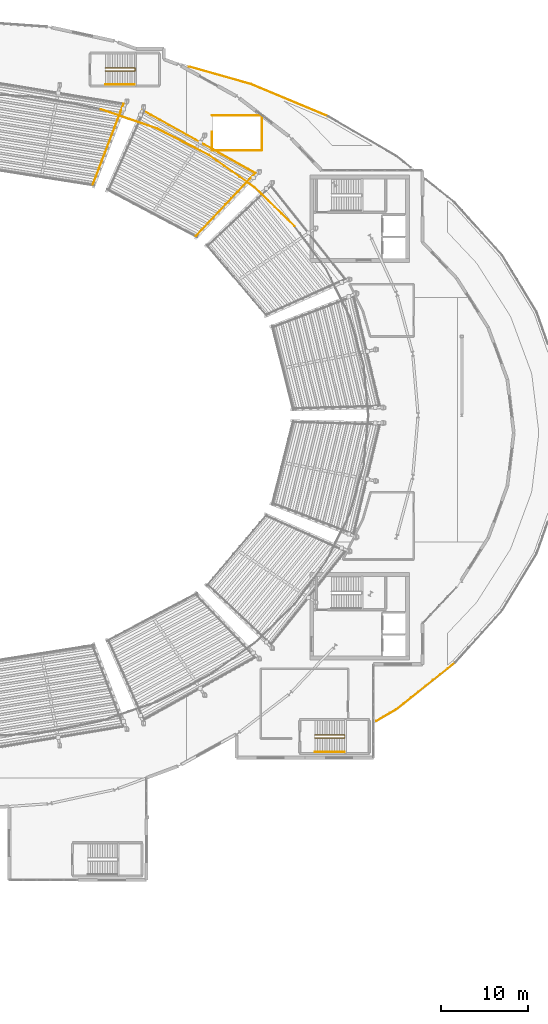
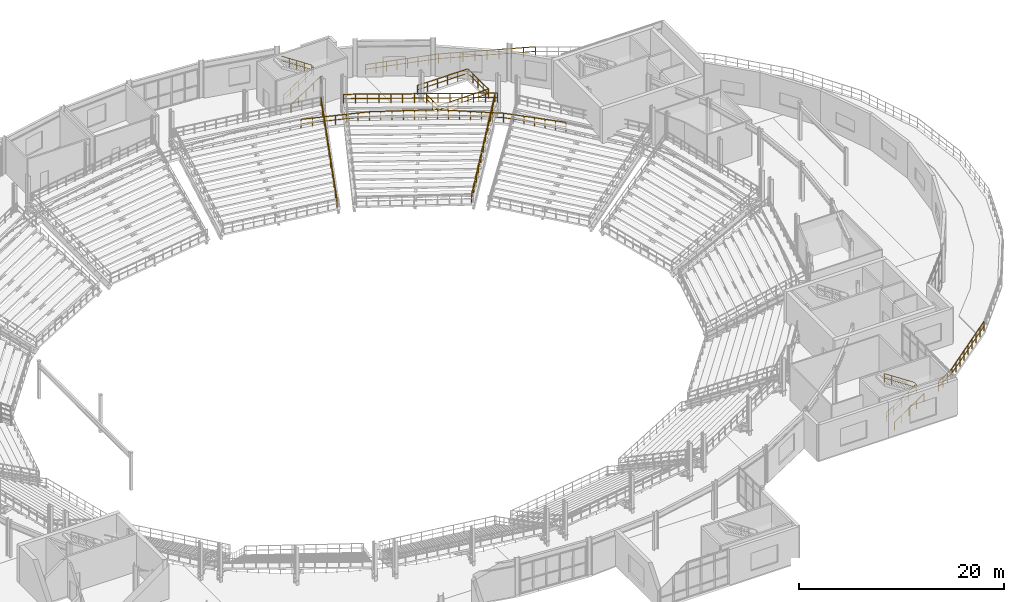
# One storey, part 78 of 81: 19 railings.
"""IFC4 building model written with IfcOpenShell, lengths in metres."""

from ifc_helpers import new_model, si_unit, direction, frame, origin, origin_2d, place, context, subcontext, project, spatial, circle, extrude, material, type_object, element, save


model = new_model("IFC4")

# Units and contexts
model_context = context("Model", 3, precision=1e-05, world=origin(), true_north=direction((0.0, 1.0)))
body_context = subcontext(model_context, "Body", "Model", "MODEL_VIEW")
ifc_project = project(units=[si_unit("LENGTHUNIT", "METRE"), si_unit("AREAUNIT", "SQUARE_METRE"), si_unit("VOLUMEUNIT", "CUBIC_METRE"), si_unit("PLANEANGLEUNIT", "RADIAN"), si_unit("MASSUNIT", "GRAM", prefix="KILO")], contexts=[model_context])

# Site, building, storey
site_placement = place(None, origin())
site = spatial("IfcSite", under=ifc_project, at=site_placement, CompositionType="ELEMENT")
building_placement = place(site_placement, origin())
building = spatial("IfcBuilding", under=site, at=building_placement, Name="Glasvene Arena", CompositionType="ELEMENT")
storey_placement = place(building_placement, frame((0.0, 0.0, 15.0)))
storey = spatial("IfcBuildingStorey", under=building, at=storey_placement, Name="L03", CompositionType="ELEMENT", Elevation=15.0)

# Railings
ifc_material_1 = material(Name="Brushed stainless steel", Category="steel")
railing_type_1 = type_object("IfcRailingType", Name="RL-GUARD-1100", PredefinedType="GUARDRAIL", material=ifc_material_1)
railing_1_placement = place(storey_placement, frame((130.199951171875, 36.06005859375, 0.0)))
element("IfcRailing", 1, at=railing_1_placement, inside=storey, type_object=railing_type_1, Name="Stair inner well continuous guardrail ST-06-L03", PredefinedType="GUARDRAIL", context=body_context, shape_type="SweptSolid", body=[
    extrude(circle(Radius=0.02392578125, at=origin_2d()), frame((0.0, 0.0, 1.076171875), z_axis=(0.833943147616, 0.0, 0.551850366082), x_axis=(0.0, 1.0, 0.0)), (0.0, 0.0, 1.0), 4.0771484375),
    extrude(circle(Radius=0.01611328125, at=origin_2d()), frame((0.0, 0.0, 0.550048828125), z_axis=(0.833943147616, 0.0, 0.551850366082), x_axis=(0.0, 1.0, 0.0)), (0.0, 0.0, 1.0), 4.0771484375),
    extrude(circle(Radius=0.02392578125, at=origin_2d()), frame((3.400146484375, 0.0, 3.326171875), z_axis=(0.0, 1.0, 0.0), x_axis=(-1.0, 0.0, 0.0)), (0.0, 0.0, 1.0), 0.329833984375),
    extrude(circle(Radius=0.01611328125, at=origin_2d()), frame((3.400146484375, 0.0, 2.800048828125), z_axis=(0.0, 1.0, 0.0), x_axis=(-1.0, 0.0, 0.0)), (0.0, 0.0, 1.0), 0.329833984375),
    extrude(circle(Radius=0.02392578125, at=origin_2d()), frame((3.400146484375, 0.329833984375, 3.326171875), z_axis=(-0.833943147616, 0.0, 0.551850366082), x_axis=(0.0, -1.0, 0.0)), (0.0, 0.0, 1.0), 4.0771484375),
    extrude(circle(Radius=0.01611328125, at=origin_2d()), frame((3.400146484375, 0.329833984375, 2.800048828125), z_axis=(-0.833943147616, 0.0, 0.551850366082), x_axis=(0.0, -1.0, 0.0)), (0.0, 0.0, 1.0), 4.0771484375),
    extrude(circle(Radius=0.02099609375, at=origin_2d()), origin(), (0.0, 0.0, 1.0), 1.052001953125),
    extrude(circle(Radius=0.02099609375, at=origin_2d()), frame((0.85009765625, 0.0, 0.5625)), (0.0, 0.0, 1.0), 1.052001953125),
    extrude(circle(Radius=0.02099609375, at=origin_2d()), frame((1.7001953125, 0.0, 1.125)), (0.0, 0.0, 1.0), 1.052001953125),
    extrude(circle(Radius=0.02099609375, at=origin_2d()), frame((2.550048828125, 0.0, 1.6875)), (0.0, 0.0, 1.0), 1.052001953125),
    extrude(circle(Radius=0.02099609375, at=origin_2d()), frame((3.400146484375, 0.0, 2.25)), (0.0, 0.0, 1.0), 1.052001953125),
    extrude(circle(Radius=0.02099609375, at=origin_2d()), frame((3.400146484375, 0.329833984375, 2.25)), (0.0, 0.0, 1.0), 1.052001953125),
    extrude(circle(Radius=0.02099609375, at=origin_2d()), frame((2.550048828125, 0.329833984375, 2.8125)), (0.0, 0.0, 1.0), 1.052001953125),
    extrude(circle(Radius=0.02099609375, at=origin_2d()), frame((1.7001953125, 0.329833984375, 3.375)), (0.0, 0.0, 1.0), 1.052001953125),
    extrude(circle(Radius=0.02099609375, at=origin_2d()), frame((0.85009765625, 0.329833984375, 3.9375)), (0.0, 0.0, 1.0), 1.052001953125),
    extrude(circle(Radius=0.02099609375, at=origin_2d()), frame((0.0, 0.329833984375, 4.5)), (0.0, 0.0, 1.0), 1.052001953125),
])
railing_2_placement = place(storey_placement, frame((106.199951171875, 112.409912109375, 0.0)))
element("IfcRailing", 2, at=railing_2_placement, inside=storey, type_object=railing_type_1, Name="Stair inner well continuous guardrail ST-11-L03", PredefinedType="GUARDRAIL", context=body_context, shape_type="SweptSolid", body=[
    extrude(circle(Radius=0.02392578125, at=origin_2d()), frame((0.0, 0.0, 1.076171875), z_axis=(0.833943147616, 0.0, 0.551850366082), x_axis=(0.0, 1.0, 0.0)), (0.0, 0.0, 1.0), 4.0771484375),
    extrude(circle(Radius=0.01611328125, at=origin_2d()), frame((0.0, 0.0, 0.550048828125), z_axis=(0.833943147616, 0.0, 0.551850366082), x_axis=(0.0, 1.0, 0.0)), (0.0, 0.0, 1.0), 4.0771484375),
    extrude(circle(Radius=0.02392578125, at=origin_2d()), frame((3.400146484375, 0.0, 3.326171875), z_axis=(0.0, 1.0, 0.0), x_axis=(-1.0, 0.0, 0.0)), (0.0, 0.0, 1.0), 0.330078125),
    extrude(circle(Radius=0.01611328125, at=origin_2d()), frame((3.400146484375, 0.0, 2.800048828125), z_axis=(0.0, 1.0, 0.0), x_axis=(-1.0, 0.0, 0.0)), (0.0, 0.0, 1.0), 0.330078125),
    extrude(circle(Radius=0.02392578125, at=origin_2d()), frame((3.400146484375, 0.330078125, 3.326171875), z_axis=(-0.833943147616, 0.0, 0.551850366082), x_axis=(0.0, -1.0, 0.0)), (0.0, 0.0, 1.0), 4.0771484375),
    extrude(circle(Radius=0.01611328125, at=origin_2d()), frame((3.400146484375, 0.330078125, 2.800048828125), z_axis=(-0.833943147616, 0.0, 0.551850366082), x_axis=(0.0, -1.0, 0.0)), (0.0, 0.0, 1.0), 4.0771484375),
    extrude(circle(Radius=0.02099609375, at=origin_2d()), origin(), (0.0, 0.0, 1.0), 1.052001953125),
    extrude(circle(Radius=0.02099609375, at=origin_2d()), frame((0.85009765625, 0.0, 0.5625)), (0.0, 0.0, 1.0), 1.052001953125),
    extrude(circle(Radius=0.02099609375, at=origin_2d()), frame((1.7001953125, 0.0, 1.125)), (0.0, 0.0, 1.0), 1.052001953125),
    extrude(circle(Radius=0.02099609375, at=origin_2d()), frame((2.550048828125, 0.0, 1.6875)), (0.0, 0.0, 1.0), 1.052001953125),
    extrude(circle(Radius=0.02099609375, at=origin_2d()), frame((3.400146484375, 0.0, 2.25)), (0.0, 0.0, 1.0), 1.052001953125),
    extrude(circle(Radius=0.02099609375, at=origin_2d()), frame((3.400146484375, 0.330078125, 2.25)), (0.0, 0.0, 1.0), 1.052001953125),
    extrude(circle(Radius=0.02099609375, at=origin_2d()), frame((2.550048828125, 0.330078125, 2.8125)), (0.0, 0.0, 1.0), 1.052001953125),
    extrude(circle(Radius=0.02099609375, at=origin_2d()), frame((1.7001953125, 0.330078125, 3.375)), (0.0, 0.0, 1.0), 1.052001953125),
    extrude(circle(Radius=0.02099609375, at=origin_2d()), frame((0.85009765625, 0.330078125, 3.9375)), (0.0, 0.0, 1.0), 1.052001953125),
    extrude(circle(Radius=0.02099609375, at=origin_2d()), frame((0.0, 0.330078125, 4.5)), (0.0, 0.0, 1.0), 1.052001953125),
])
railing_3_placement = place(storey_placement, frame((118.419921875, 105.449951171875, 0.0)))
element("IfcRailing", 3, at=railing_3_placement, inside=storey, type_object=railing_type_1, Name="Safety guardrail GD-VOM-08-TOP-001", PredefinedType="GUARDRAIL", context=body_context, shape_type="SweptSolid", body=[
    extrude(circle(Radius=0.02392578125, at=origin_2d()), frame((0.0, 0.0, 1.076171875), z_axis=(0.0, -1.0, 0.0), x_axis=(1.0, 0.0, 0.0)), (0.0, 0.0, 1.0), 2.1298828125),
    extrude(circle(Radius=0.01611328125, at=origin_2d()), frame((0.0, 0.0, 0.550048828125), z_axis=(0.0, -1.0, 0.0), x_axis=(1.0, 0.0, 0.0)), (0.0, 0.0, 1.0), 2.1298828125),
    extrude(circle(Radius=0.02099609375, at=origin_2d()), origin(), (0.0, 0.0, 1.0), 1.052001953125),
    extrude(circle(Radius=0.02099609375, at=origin_2d()), frame((0.0, -1.06494140625, 0.0)), (0.0, 0.0, 1.0), 1.052001953125),
    extrude(circle(Radius=0.02099609375, at=origin_2d()), frame((0.0, -2.1298828125, 0.0)), (0.0, 0.0, 1.0), 1.052001953125),
])
railing_4_placement = place(storey_placement, frame((118.419921875, 103.320068359375, 0.0)))
element("IfcRailing", 4, at=railing_4_placement, inside=storey, type_object=railing_type_1, Name="Safety guardrail GD-VOM-08-TOP-002", PredefinedType="GUARDRAIL", context=body_context, shape_type="SweptSolid", body=[
    extrude(circle(Radius=0.02392578125, at=origin_2d()), frame((0.0, 0.0, 1.076171875), z_axis=(1.0, 0.0, 0.0), x_axis=(0.0, 1.0, 0.0)), (0.0, 0.0, 1.0), 5.7001953125),
    extrude(circle(Radius=0.01611328125, at=origin_2d()), frame((0.0, 0.0, 0.550048828125), z_axis=(1.0, 0.0, 0.0), x_axis=(0.0, 1.0, 0.0)), (0.0, 0.0, 1.0), 5.7001953125),
    extrude(circle(Radius=0.02099609375, at=origin_2d()), origin(), (0.0, 0.0, 1.0), 1.052001953125),
    extrude(circle(Radius=0.02099609375, at=origin_2d()), frame((1.14013671875, 0.0, 0.0)), (0.0, 0.0, 1.0), 1.052001953125),
    extrude(circle(Radius=0.02099609375, at=origin_2d()), frame((2.280029296875, 0.0, 0.0)), (0.0, 0.0, 1.0), 1.052001953125),
    extrude(circle(Radius=0.02099609375, at=origin_2d()), frame((3.420166015625, 0.0, 0.0)), (0.0, 0.0, 1.0), 1.052001953125),
    extrude(circle(Radius=0.02099609375, at=origin_2d()), frame((4.56005859375, 0.0, 0.0)), (0.0, 0.0, 1.0), 1.052001953125),
    extrude(circle(Radius=0.02099609375, at=origin_2d()), frame((5.7001953125, 0.0, 0.0)), (0.0, 0.0, 1.0), 1.052001953125),
])
railing_5_placement = place(storey_placement, frame((124.1201171875, 103.320068359375, 0.0)))
element("IfcRailing", 5, at=railing_5_placement, inside=storey, type_object=railing_type_1, Name="Safety guardrail GD-VOM-08-TOP-003", PredefinedType="GUARDRAIL", context=body_context, shape_type="SweptSolid", body=[
    extrude(circle(Radius=0.02392578125, at=origin_2d()), frame((0.0, 0.0, 1.076171875), z_axis=(0.0, 1.0, 0.0), x_axis=(-1.0, 0.0, 0.0)), (0.0, 0.0, 1.0), 4.010009765625),
    extrude(circle(Radius=0.01611328125, at=origin_2d()), frame((0.0, 0.0, 0.550048828125), z_axis=(0.0, 1.0, 0.0), x_axis=(-1.0, 0.0, 0.0)), (0.0, 0.0, 1.0), 4.010009765625),
    extrude(circle(Radius=0.02099609375, at=origin_2d()), origin(), (0.0, 0.0, 1.0), 1.052001953125),
    extrude(circle(Radius=0.02099609375, at=origin_2d()), frame((0.0, 1.00244140625, 0.0)), (0.0, 0.0, 1.0), 1.052001953125),
    extrude(circle(Radius=0.02099609375, at=origin_2d()), frame((0.0, 2.0048828125, 0.0)), (0.0, 0.0, 1.0), 1.052001953125),
    extrude(circle(Radius=0.02099609375, at=origin_2d()), frame((0.0, 3.007568359375, 0.0)), (0.0, 0.0, 1.0), 1.052001953125),
    extrude(circle(Radius=0.02099609375, at=origin_2d()), frame((0.0, 4.010009765625, 0.0)), (0.0, 0.0, 1.0), 1.052001953125),
])
railing_6_placement = place(storey_placement, frame((124.1201171875, 107.330078125, 0.0)))
element("IfcRailing", 6, at=railing_6_placement, inside=storey, type_object=railing_type_1, Name="Safety guardrail GD-VOM-08-TOP-004", PredefinedType="GUARDRAIL", context=body_context, shape_type="SweptSolid", body=[
    extrude(circle(Radius=0.02392578125, at=origin_2d()), frame((0.0, 0.0, 1.076171875), z_axis=(-1.0, 0.0, 0.0), x_axis=(0.0, -1.0, 0.0)), (0.0, 0.0, 1.0), 5.7001953125),
    extrude(circle(Radius=0.01611328125, at=origin_2d()), frame((0.0, 0.0, 0.550048828125), z_axis=(-1.0, 0.0, 0.0), x_axis=(0.0, -1.0, 0.0)), (0.0, 0.0, 1.0), 5.7001953125),
    extrude(circle(Radius=0.02099609375, at=origin_2d()), origin(), (0.0, 0.0, 1.0), 1.052001953125),
    extrude(circle(Radius=0.02099609375, at=origin_2d()), frame((-1.14013671875, 0.0, 0.0)), (0.0, 0.0, 1.0), 1.052001953125),
    extrude(circle(Radius=0.02099609375, at=origin_2d()), frame((-2.280029296875, 0.0, 0.0)), (0.0, 0.0, 1.0), 1.052001953125),
    extrude(circle(Radius=0.02099609375, at=origin_2d()), frame((-3.420166015625, 0.0, 0.0)), (0.0, 0.0, 1.0), 1.052001953125),
    extrude(circle(Radius=0.02099609375, at=origin_2d()), frame((-4.56005859375, 0.0, 0.0)), (0.0, 0.0, 1.0), 1.052001953125),
    extrude(circle(Radius=0.02099609375, at=origin_2d()), frame((-5.7001953125, 0.0, 0.0)), (0.0, 0.0, 1.0), 1.052001953125),
])
railing_7_placement = place(storey_placement, frame((127.855712890625, 94.642333984375, 0.0)))
element("IfcRailing", 7, at=railing_7_placement, inside=storey, type_object=railing_type_1, Name="Safety guardrail GD-BWL-L03-005", PredefinedType="GUARDRAIL", context=body_context, shape_type="SweptSolid", body=[
    extrude(circle(Radius=0.02392578125, at=origin_2d()), frame((0.0, 0.0, 1.076171875), z_axis=(-0.716822755591, 0.697255431722, 0.0), x_axis=(-0.697255431722, -0.716822755591, 0.0)), (0.0, 0.0, 1.0), 6.30078125),
    extrude(circle(Radius=0.01611328125, at=origin_2d()), frame((0.0, 0.0, 0.550048828125), z_axis=(-0.716822755591, 0.697255431722, 0.0), x_axis=(-0.697255431722, -0.716822755591, 0.0)), (0.0, 0.0, 1.0), 6.30078125),
    extrude(circle(Radius=0.02099609375, at=origin_2d()), origin(), (0.0, 0.0, 1.0), 1.052001953125),
    extrude(circle(Radius=0.02099609375, at=origin_2d()), frame((-0.752685546875, 0.732177734375, 0.0)), (0.0, 0.0, 1.0), 1.052001953125),
    extrude(circle(Radius=0.02099609375, at=origin_2d()), frame((-1.505615234375, 1.46435546875, 0.0)), (0.0, 0.0, 1.0), 1.052001953125),
    extrude(circle(Radius=0.02099609375, at=origin_2d()), frame((-2.25830078125, 2.19677734375, 0.0)), (0.0, 0.0, 1.0), 1.052001953125),
    extrude(circle(Radius=0.02099609375, at=origin_2d()), frame((-3.010986328125, 2.928955078125, 0.0)), (0.0, 0.0, 1.0), 1.052001953125),
    extrude(circle(Radius=0.02099609375, at=origin_2d()), frame((-3.763916015625, 3.6611328125, 0.0)), (0.0, 0.0, 1.0), 1.052001953125),
    extrude(circle(Radius=0.02099609375, at=origin_2d()), frame((-4.5166015625, 4.393310546875, 0.0)), (0.0, 0.0, 1.0), 1.052001953125),
])
railing_8_placement = place(storey_placement, frame((123.339111328125, 99.03564453125, 0.0)))
element("IfcRailing", 8, at=railing_8_placement, inside=storey, type_object=railing_type_1, Name="Safety guardrail GD-BWL-L03-006", PredefinedType="GUARDRAIL", context=body_context, shape_type="SweptSolid", body=[
    extrude(circle(Radius=0.02392578125, at=origin_2d()), frame((0.0, 0.0, 1.076171875), z_axis=(-0.815561022815, 0.57867107934, 0.0), x_axis=(-0.57867107934, -0.815561022815, 0.0)), (0.0, 0.0, 1.0), 6.484619140625),
    extrude(circle(Radius=0.01611328125, at=origin_2d()), frame((0.0, 0.0, 0.550048828125), z_axis=(-0.815561022815, 0.57867107934, 0.0), x_axis=(-0.57867107934, -0.815561022815, 0.0)), (0.0, 0.0, 1.0), 6.484619140625),
    extrude(circle(Radius=0.02099609375, at=origin_2d()), origin(), (0.0, 0.0, 1.0), 1.052001953125),
    extrude(circle(Radius=0.02099609375, at=origin_2d()), frame((-0.88134765625, 0.62548828125, 0.0)), (0.0, 0.0, 1.0), 1.052001953125),
    extrude(circle(Radius=0.02099609375, at=origin_2d()), frame((-1.762939453125, 1.250732421875, 0.0)), (0.0, 0.0, 1.0), 1.052001953125),
    extrude(circle(Radius=0.02099609375, at=origin_2d()), frame((-2.644287109375, 1.876220703125, 0.0)), (0.0, 0.0, 1.0), 1.052001953125),
    extrude(circle(Radius=0.02099609375, at=origin_2d()), frame((-3.525634765625, 2.501708984375, 0.0)), (0.0, 0.0, 1.0), 1.052001953125),
    extrude(circle(Radius=0.02099609375, at=origin_2d()), frame((-4.4072265625, 3.126953125, 0.0)), (0.0, 0.0, 1.0), 1.052001953125),
    extrude(circle(Radius=0.02099609375, at=origin_2d()), frame((-5.28857421875, 3.75244140625, 0.0)), (0.0, 0.0, 1.0), 1.052001953125),
])
railing_9_placement = place(storey_placement, frame((118.050537109375, 102.7880859375, 0.0)))
element("IfcRailing", 9, at=railing_9_placement, inside=storey, type_object=railing_type_1, Name="Safety guardrail GD-BWL-L03-007", PredefinedType="GUARDRAIL", context=body_context, shape_type="SweptSolid", body=[
    extrude(circle(Radius=0.02392578125, at=origin_2d()), frame((0.0, 0.0, 1.076171875), z_axis=(-0.891160148677, 0.453688868511, 0.0), x_axis=(-0.453688868511, -0.891160148677, 0.0)), (0.0, 0.0, 1.0), 6.65380859375),
    extrude(circle(Radius=0.01611328125, at=origin_2d()), frame((0.0, 0.0, 0.550048828125), z_axis=(-0.891160148677, 0.453688868511, 0.0), x_axis=(-0.453688868511, -0.891160148677, 0.0)), (0.0, 0.0, 1.0), 6.65380859375),
    extrude(circle(Radius=0.02099609375, at=origin_2d()), origin(), (0.0, 0.0, 1.0), 1.052001953125),
    extrude(circle(Radius=0.02099609375, at=origin_2d()), frame((-0.98828125, 0.503173828125, 0.0)), (0.0, 0.0, 1.0), 1.052001953125),
    extrude(circle(Radius=0.02099609375, at=origin_2d()), frame((-1.9765625, 1.00634765625, 0.0)), (0.0, 0.0, 1.0), 1.052001953125),
    extrude(circle(Radius=0.02099609375, at=origin_2d()), frame((-2.96484375, 1.50927734375, 0.0)), (0.0, 0.0, 1.0), 1.052001953125),
    extrude(circle(Radius=0.02099609375, at=origin_2d()), frame((-3.953125, 2.012451171875, 0.0)), (0.0, 0.0, 1.0), 1.052001953125),
    extrude(circle(Radius=0.02099609375, at=origin_2d()), frame((-4.94140625, 2.515625, 0.0)), (0.0, 0.0, 1.0), 1.052001953125),
    extrude(circle(Radius=0.02099609375, at=origin_2d()), frame((-5.9296875, 3.018798828125, 0.0)), (0.0, 0.0, 1.0), 1.052001953125),
])
railing_10_placement = place(storey_placement, frame((112.120849609375, 105.806884765625, 0.0)))
element("IfcRailing", 10, at=railing_10_placement, inside=storey, type_object=railing_type_1, Name="Safety guardrail GD-BWL-L03-008", PredefinedType="GUARDRAIL", context=body_context, shape_type="SweptSolid", body=[
    extrude(circle(Radius=0.02392578125, at=origin_2d()), frame((0.0, 0.0, 1.076171875), z_axis=(-0.945585072806, 0.325374968437, 0.0), x_axis=(-0.325374968437, -0.945585072806, 0.0)), (0.0, 0.0, 1.0), 6.795166015625),
    extrude(circle(Radius=0.01611328125, at=origin_2d()), frame((0.0, 0.0, 0.550048828125), z_axis=(-0.945585072806, 0.325374968437, 0.0), x_axis=(-0.325374968437, -0.945585072806, 0.0)), (0.0, 0.0, 1.0), 6.795166015625),
    extrude(circle(Radius=0.02099609375, at=origin_2d()), origin(), (0.0, 0.0, 1.0), 1.052001953125),
    extrude(circle(Radius=0.02099609375, at=origin_2d()), frame((-1.07080078125, 0.368408203125, 0.0)), (0.0, 0.0, 1.0), 1.052001953125),
    extrude(circle(Radius=0.02099609375, at=origin_2d()), frame((-2.141845703125, 0.737060546875, 0.0)), (0.0, 0.0, 1.0), 1.052001953125),
    extrude(circle(Radius=0.02099609375, at=origin_2d()), frame((-3.212646484375, 1.10546875, 0.0)), (0.0, 0.0, 1.0), 1.052001953125),
    extrude(circle(Radius=0.02099609375, at=origin_2d()), frame((-4.283447265625, 1.473876953125, 0.0)), (0.0, 0.0, 1.0), 1.052001953125),
    extrude(circle(Radius=0.02099609375, at=origin_2d()), frame((-5.3544921875, 1.842529296875, 0.0)), (0.0, 0.0, 1.0), 1.052001953125),
    extrude(circle(Radius=0.02099609375, at=origin_2d()), frame((-6.42529296875, 2.2109375, 0.0)), (0.0, 0.0, 1.0), 1.052001953125),
])
railing_11_placement = place(storey_placement, frame((123.5595703125, 100.602783203125, 1.3798828125)))
element("IfcRailing", 11, at=railing_11_placement, inside=storey, type_object=railing_type_1, Name="Safety guardrail GD-TU-UR-03-001", PredefinedType="GUARDRAIL", context=body_context, shape_type="SweptSolid", body=[
    extrude(circle(Radius=0.02392578125, at=origin_2d()), frame((0.0, 0.0, 1.076171875), z_axis=(-0.873075045676, 0.487585853587, 0.0), x_axis=(-0.487585853587, -0.873075045676, 0.0)), (0.0, 0.0, 1.0), 15.033935546875),
    extrude(circle(Radius=0.01611328125, at=origin_2d()), frame((0.0, 0.0, 0.550048828125), z_axis=(-0.873075045676, 0.487585853587, 0.0), x_axis=(-0.487585853587, -0.873075045676, 0.0)), (0.0, 0.0, 1.0), 15.033935546875),
    extrude(circle(Radius=0.02099609375, at=origin_2d()), origin(), (0.0, 0.0, 1.0), 1.052001953125),
    extrude(circle(Radius=0.02099609375, at=origin_2d()), frame((-1.009765625, 0.56396484375, 0.0)), (0.0, 0.0, 1.0), 1.052001953125),
    extrude(circle(Radius=0.02099609375, at=origin_2d()), frame((-2.019287109375, 1.127685546875, 0.0)), (0.0, 0.0, 1.0), 1.052001953125),
    extrude(circle(Radius=0.02099609375, at=origin_2d()), frame((-3.029052734375, 1.691650390625, 0.0)), (0.0, 0.0, 1.0), 1.052001953125),
    extrude(circle(Radius=0.02099609375, at=origin_2d()), frame((-4.03857421875, 2.25537109375, 0.0)), (0.0, 0.0, 1.0), 1.052001953125),
    extrude(circle(Radius=0.02099609375, at=origin_2d()), frame((-5.04833984375, 2.8193359375, 0.0)), (0.0, 0.0, 1.0), 1.052001953125),
    extrude(circle(Radius=0.02099609375, at=origin_2d()), frame((-6.05810546875, 3.38330078125, 0.0)), (0.0, 0.0, 1.0), 1.052001953125),
    extrude(circle(Radius=0.02099609375, at=origin_2d()), frame((-7.067626953125, 3.947021484375, 0.0)), (0.0, 0.0, 1.0), 1.052001953125),
    extrude(circle(Radius=0.02099609375, at=origin_2d()), frame((-8.077392578125, 4.510986328125, 0.0)), (0.0, 0.0, 1.0), 1.052001953125),
    extrude(circle(Radius=0.02099609375, at=origin_2d()), frame((-9.087158203125, 5.074951171875, 0.0)), (0.0, 0.0, 1.0), 1.052001953125),
    extrude(circle(Radius=0.02099609375, at=origin_2d()), frame((-10.0966796875, 5.638671875, 0.0)), (0.0, 0.0, 1.0), 1.052001953125),
    extrude(circle(Radius=0.02099609375, at=origin_2d()), frame((-11.1064453125, 6.20263671875, 0.0)), (0.0, 0.0, 1.0), 1.052001953125),
    extrude(circle(Radius=0.02099609375, at=origin_2d()), frame((-12.115966796875, 6.766357421875, 0.0)), (0.0, 0.0, 1.0), 1.052001953125),
    extrude(circle(Radius=0.02099609375, at=origin_2d()), frame((-13.125732421875, 7.330322265625, 0.0)), (0.0, 0.0, 1.0), 1.052001953125),
])
railing_12_placement = place(storey_placement, frame((116.569580078125, 93.521240234375, -3.89990234375)))
element("IfcRailing", 12, at=railing_12_placement, inside=storey, type_object=railing_type_1, Name="Upper tier radial aisle guard 03-1", PredefinedType="GUARDRAIL", context=body_context, shape_type="SweptSolid", body=[
    extrude(circle(Radius=0.02392578125, at=origin_2d()), frame((0.0, 0.0, 1.076171875), z_axis=(0.60640450532, 0.640959204418, 0.470579296399), x_axis=(-0.726416506845, 0.687254726126, 0.0)), (0.0, 0.0, 1.0), 11.2197265625),
    extrude(circle(Radius=0.01611328125, at=origin_2d()), frame((0.0, 0.0, 0.550048828125), z_axis=(0.60640450532, 0.640959204418, 0.470579296399), x_axis=(-0.726416506845, 0.687254726126, 0.0)), (0.0, 0.0, 1.0), 11.2197265625),
    extrude(circle(Radius=0.02099609375, at=origin_2d()), origin(), (0.0, 0.0, 1.0), 1.052001953125),
    extrude(circle(Radius=0.02099609375, at=origin_2d()), frame((0.680419921875, 0.71923828125, 0.528076171875)), (0.0, 0.0, 1.0), 1.052001953125),
    extrude(circle(Radius=0.02099609375, at=origin_2d()), frame((1.36083984375, 1.438232421875, 1.055908203125)), (0.0, 0.0, 1.0), 1.052001953125),
    extrude(circle(Radius=0.02099609375, at=origin_2d()), frame((2.041015625, 2.157470703125, 1.583984375)), (0.0, 0.0, 1.0), 1.052001953125),
    extrude(circle(Radius=0.02099609375, at=origin_2d()), frame((2.721435546875, 2.87646484375, 2.11181640625)), (0.0, 0.0, 1.0), 1.052001953125),
    extrude(circle(Radius=0.02099609375, at=origin_2d()), frame((3.40185546875, 3.595703125, 2.639892578125)), (0.0, 0.0, 1.0), 1.052001953125),
    extrude(circle(Radius=0.02099609375, at=origin_2d()), frame((4.082275390625, 4.31494140625, 3.16796875)), (0.0, 0.0, 1.0), 1.052001953125),
    extrude(circle(Radius=0.02099609375, at=origin_2d()), frame((4.7626953125, 5.033935546875, 3.69580078125)), (0.0, 0.0, 1.0), 1.052001953125),
    extrude(circle(Radius=0.02099609375, at=origin_2d()), frame((5.44287109375, 5.753173828125, 4.223876953125)), (0.0, 0.0, 1.0), 1.052001953125),
    extrude(circle(Radius=0.02099609375, at=origin_2d()), frame((6.123291015625, 6.47216796875, 4.751708984375)), (0.0, 0.0, 1.0), 1.052001953125),
    extrude(circle(Radius=0.02099609375, at=origin_2d()), frame((6.8037109375, 7.19140625, 5.27978515625)), (0.0, 0.0, 1.0), 1.052001953125),
])
railing_13_placement = place(storey_placement, frame((104.76123046875, 99.388916015625, -3.89990234375)))
element("IfcRailing", 13, at=railing_13_placement, inside=storey, type_object=railing_type_1, Name="Upper tier radial aisle guard 04-1", PredefinedType="GUARDRAIL", context=body_context, shape_type="SweptSolid", body=[
    extrude(circle(Radius=0.02392578125, at=origin_2d()), frame((0.0, 0.0, 1.076171875), z_axis=(0.314969660296, 0.824230449904, 0.470572288329), x_axis=(-0.934118839399, 0.3569621743, 0.0)), (0.0, 0.0, 1.0), 11.219970703125),
    extrude(circle(Radius=0.01611328125, at=origin_2d()), frame((0.0, 0.0, 0.550048828125), z_axis=(0.314969660296, 0.824230449904, 0.470572288329), x_axis=(-0.934118839399, 0.3569621743, 0.0)), (0.0, 0.0, 1.0), 11.219970703125),
    extrude(circle(Radius=0.02099609375, at=origin_2d()), origin(), (0.0, 0.0, 1.0), 1.052001953125),
    extrude(circle(Radius=0.02099609375, at=origin_2d()), frame((0.353515625, 0.9248046875, 0.528076171875)), (0.0, 0.0, 1.0), 1.052001953125),
    extrude(circle(Radius=0.02099609375, at=origin_2d()), frame((0.706787109375, 1.849609375, 1.055908203125)), (0.0, 0.0, 1.0), 1.052001953125),
    extrude(circle(Radius=0.02099609375, at=origin_2d()), frame((1.06005859375, 2.7744140625, 1.583984375)), (0.0, 0.0, 1.0), 1.052001953125),
    extrude(circle(Radius=0.02099609375, at=origin_2d()), frame((1.41357421875, 3.69921875, 2.11181640625)), (0.0, 0.0, 1.0), 1.052001953125),
    extrude(circle(Radius=0.02099609375, at=origin_2d()), frame((1.76708984375, 4.6240234375, 2.639892578125)), (0.0, 0.0, 1.0), 1.052001953125),
    extrude(circle(Radius=0.02099609375, at=origin_2d()), frame((2.120361328125, 5.548583984375, 3.16796875)), (0.0, 0.0, 1.0), 1.052001953125),
    extrude(circle(Radius=0.02099609375, at=origin_2d()), frame((2.4736328125, 6.473388671875, 3.69580078125)), (0.0, 0.0, 1.0), 1.052001953125),
    extrude(circle(Radius=0.02099609375, at=origin_2d()), frame((2.8271484375, 7.398193359375, 4.223876953125)), (0.0, 0.0, 1.0), 1.052001953125),
    extrude(circle(Radius=0.02099609375, at=origin_2d()), frame((3.1806640625, 8.322998046875, 4.751708984375)), (0.0, 0.0, 1.0), 1.052001953125),
    extrude(circle(Radius=0.02099609375, at=origin_2d()), frame((3.533935546875, 9.247802734375, 5.27978515625)), (0.0, 0.0, 1.0), 1.052001953125),
])
ifc_material_2 = material(Name="Warm bronze architectural aluminium", Category="aluminium")
railing_type_2 = type_object("IfcRailingType", Name="RL-GUARD-EXT-1150", PredefinedType="GUARDRAIL", material=ifc_material_2)
railing_14_placement = place(storey_placement, frame((146.231689453125, 44.696044921875, 0.0)))
element("IfcRailing", 14, at=railing_14_placement, inside=storey, type_object=railing_type_2, Name="Safety guardrail GD-TER-L03-TR-L03-STEP2-1-01-009", PredefinedType="GUARDRAIL", context=body_context, shape_type="SweptSolid", body=[
    extrude(circle(Radius=0.02392578125, at=origin_2d()), frame((0.0, 0.0, 1.1259765625), z_axis=(-0.781732170307, -0.623614315028, 0.0), x_axis=(0.623614315028, -0.781732170307, 0.0)), (0.0, 0.0, 1.0), 8.572509765625),
    extrude(circle(Radius=0.01611328125, at=origin_2d()), frame((0.0, 0.0, 0.574951171875), z_axis=(-0.781732170307, -0.623614315028, 0.0), x_axis=(0.623614315028, -0.781732170307, 0.0)), (0.0, 0.0, 1.0), 8.572509765625),
    extrude(circle(Radius=0.02099609375, at=origin_2d()), origin(), (0.0, 0.0, 1.0), 1.101806640625),
    extrude(circle(Radius=0.02099609375, at=origin_2d()), frame((-0.837646484375, -0.668212890625, 0.0)), (0.0, 0.0, 1.0), 1.101806640625),
    extrude(circle(Radius=0.02099609375, at=origin_2d()), frame((-1.67529296875, -1.33642578125, 0.0)), (0.0, 0.0, 1.0), 1.101806640625),
    extrude(circle(Radius=0.02099609375, at=origin_2d()), frame((-2.512939453125, -2.004638671875, 0.0)), (0.0, 0.0, 1.0), 1.101806640625),
    extrude(circle(Radius=0.02099609375, at=origin_2d()), frame((-3.3505859375, -2.6728515625, 0.0)), (0.0, 0.0, 1.0), 1.101806640625),
    extrude(circle(Radius=0.02099609375, at=origin_2d()), frame((-4.1884765625, -3.34130859375, 0.0)), (0.0, 0.0, 1.0), 1.101806640625),
    extrude(circle(Radius=0.02099609375, at=origin_2d()), frame((-5.026123046875, -4.009521484375, 0.0)), (0.0, 0.0, 1.0), 1.101806640625),
    extrude(circle(Radius=0.02099609375, at=origin_2d()), frame((-5.86376953125, -4.677734375, 0.0)), (0.0, 0.0, 1.0), 1.101806640625),
    extrude(circle(Radius=0.02099609375, at=origin_2d()), frame((-6.701416015625, -5.345947265625, 0.0)), (0.0, 0.0, 1.0), 1.101806640625),
])
railing_15_placement = place(storey_placement, frame((139.5302734375, 39.35009765625, 0.0)))
element("IfcRailing", 15, at=railing_15_placement, inside=storey, type_object=railing_type_2, Name="Safety guardrail GD-TER-L03-TR-L03-STEP2-1-01-010", PredefinedType="GUARDRAIL", context=body_context, shape_type="SweptSolid", body=[
    extrude(circle(Radius=0.02392578125, at=origin_2d()), frame((0.0, 0.0, 1.1259765625), z_axis=(-0.864315424932, -0.502950142881, 0.0), x_axis=(0.502950142881, -0.864315424932, 0.0)), (0.0, 0.0, 1.0), 2.63818359375),
    extrude(circle(Radius=0.01611328125, at=origin_2d()), frame((0.0, 0.0, 0.574951171875), z_axis=(-0.864315424932, -0.502950142881, 0.0), x_axis=(0.502950142881, -0.864315424932, 0.0)), (0.0, 0.0, 1.0), 2.63818359375),
    extrude(circle(Radius=0.02099609375, at=origin_2d()), origin(), (0.0, 0.0, 1.0), 1.101806640625),
    extrude(circle(Radius=0.02099609375, at=origin_2d()), frame((-0.760009765625, -0.4423828125, 0.0)), (0.0, 0.0, 1.0), 1.101806640625),
    extrude(circle(Radius=0.02099609375, at=origin_2d()), frame((-1.520263671875, -0.884521484375, 0.0)), (0.0, 0.0, 1.0), 1.101806640625),
    extrude(circle(Radius=0.02099609375, at=origin_2d()), frame((-2.2802734375, -1.326904296875, 0.0)), (0.0, 0.0, 1.0), 1.101806640625),
])
railing_16_placement = place(storey_placement, frame((115.791748046875, 112.892578125, 0.0)))
element("IfcRailing", 16, at=railing_16_placement, inside=storey, type_object=railing_type_2, Name="Safety guardrail GD-TER-L03-TR-L03-STEP2-2-01-001", PredefinedType="GUARDRAIL", context=body_context, shape_type="SweptSolid", body=[
    extrude(circle(Radius=0.02392578125, at=origin_2d()), frame((0.0, 0.0, 1.1259765625), z_axis=(0.962407240427, -0.271610573383, 0.0), x_axis=(0.271610573383, 0.962407240427, 0.0)), (0.0, 0.0, 1.0), 7.363525390625),
    extrude(circle(Radius=0.01611328125, at=origin_2d()), frame((0.0, 0.0, 0.574951171875), z_axis=(0.962407240427, -0.271610573383, 0.0), x_axis=(0.271610573383, 0.962407240427, 0.0)), (0.0, 0.0, 1.0), 7.363525390625),
    extrude(circle(Radius=0.02099609375, at=origin_2d()), origin(), (0.0, 0.0, 1.0), 1.101806640625),
    extrude(circle(Radius=0.02099609375, at=origin_2d()), frame((1.012451171875, -0.28564453125, 0.0)), (0.0, 0.0, 1.0), 1.101806640625),
    extrude(circle(Radius=0.02099609375, at=origin_2d()), frame((2.024658203125, -0.571533203125, 0.0)), (0.0, 0.0, 1.0), 1.101806640625),
    extrude(circle(Radius=0.02099609375, at=origin_2d()), frame((3.037109375, -0.857177734375, 0.0)), (0.0, 0.0, 1.0), 1.101806640625),
    extrude(circle(Radius=0.02099609375, at=origin_2d()), frame((4.049560546875, -1.142822265625, 0.0)), (0.0, 0.0, 1.0), 1.101806640625),
    extrude(circle(Radius=0.02099609375, at=origin_2d()), frame((5.06201171875, -1.428466796875, 0.0)), (0.0, 0.0, 1.0), 1.101806640625),
    extrude(circle(Radius=0.02099609375, at=origin_2d()), frame((6.07421875, -1.71435546875, 0.0)), (0.0, 0.0, 1.0), 1.101806640625),
    extrude(circle(Radius=0.02099609375, at=origin_2d()), frame((7.086669921875, -2.0, 0.0)), (0.0, 0.0, 1.0), 1.101806640625),
])
railing_17_placement = place(storey_placement, frame((122.87841796875, 110.892578125, 0.0)))
element("IfcRailing", 17, at=railing_17_placement, inside=storey, type_object=railing_type_2, Name="Safety guardrail GD-TER-L03-TR-L03-STEP2-2-01-002", PredefinedType="GUARDRAIL", context=body_context, shape_type="SweptSolid", body=[
    extrude(circle(Radius=0.02392578125, at=origin_2d()), frame((0.0, 0.0, 1.1259765625), z_axis=(0.922801829117, -0.385274946211, 0.0), x_axis=(0.385274946211, 0.922801829117, 0.0)), (0.0, 0.0, 1.0), 9.539306640625),
    extrude(circle(Radius=0.01611328125, at=origin_2d()), frame((0.0, 0.0, 0.574951171875), z_axis=(0.922801829117, -0.385274946211, 0.0), x_axis=(0.385274946211, 0.922801829117, 0.0)), (0.0, 0.0, 1.0), 9.539306640625),
    extrude(circle(Radius=0.02099609375, at=origin_2d()), origin(), (0.0, 0.0, 1.0), 1.101806640625),
    extrude(circle(Radius=0.02099609375, at=origin_2d()), frame((1.100341796875, -0.45947265625, 0.0)), (0.0, 0.0, 1.0), 1.101806640625),
    extrude(circle(Radius=0.02099609375, at=origin_2d()), frame((2.20068359375, -0.9189453125, 0.0)), (0.0, 0.0, 1.0), 1.101806640625),
    extrude(circle(Radius=0.02099609375, at=origin_2d()), frame((3.301025390625, -1.378173828125, 0.0)), (0.0, 0.0, 1.0), 1.101806640625),
    extrude(circle(Radius=0.02099609375, at=origin_2d()), frame((4.4013671875, -1.837646484375, 0.0)), (0.0, 0.0, 1.0), 1.101806640625),
    extrude(circle(Radius=0.02099609375, at=origin_2d()), frame((5.501953125, -2.297119140625, 0.0)), (0.0, 0.0, 1.0), 1.101806640625),
    extrude(circle(Radius=0.02099609375, at=origin_2d()), frame((6.602294921875, -2.75634765625, 0.0)), (0.0, 0.0, 1.0), 1.101806640625),
    extrude(circle(Radius=0.02099609375, at=origin_2d()), frame((7.70263671875, -3.2158203125, 0.0)), (0.0, 0.0, 1.0), 1.101806640625),
    extrude(circle(Radius=0.02099609375, at=origin_2d()), frame((8.802978515625, -3.67529296875, 0.0)), (0.0, 0.0, 1.0), 1.101806640625),
])
railing_type_3 = type_object("IfcRailingType", Name="RL-HAND-950", PredefinedType="HANDRAIL", material=ifc_material_1)
for number, where, name in (
    (18, (130.199951171875, 34.4599609375, 0.0), "Stair wall handrail ST-06-L03"),
    (19, (106.199951171875, 110.860107421875, 0.0), "Stair wall handrail ST-11-L03"),
):
    element("IfcRailing", number, at=place(storey_placement, frame(where)), inside=storey, type_object=railing_type_3, Name=name, PredefinedType="HANDRAIL", context=body_context, shape_type="SweptSolid", body=[
        extrude(circle(Radius=0.02392578125, at=origin_2d()), frame((0.0, 0.0, 0.92578125), z_axis=(0.830915400975, 0.0, 0.556398774641), x_axis=(0.0, 1.0, 0.0)), (0.0, 0.0, 1.0), 4.0439453125),
        extrude(circle(Radius=0.02099609375, at=origin_2d()), origin(), (0.0, 0.0, 1.0), 0.90185546875),
        extrude(circle(Radius=0.02099609375, at=origin_2d()), frame((0.840087890625, 0.0, 0.5625)), (0.0, 0.0, 1.0), 0.90185546875),
        extrude(circle(Radius=0.02099609375, at=origin_2d()), frame((1.68017578125, 0.0, 1.125)), (0.0, 0.0, 1.0), 0.90185546875),
        extrude(circle(Radius=0.02099609375, at=origin_2d()), frame((2.52001953125, 0.0, 1.6875)), (0.0, 0.0, 1.0), 0.90185546875),
        extrude(circle(Radius=0.02099609375, at=origin_2d()), frame((3.360107421875, 0.0, 2.25)), (0.0, 0.0, 1.0), 0.90185546875),
    ])

save(model, "model.ifc")
